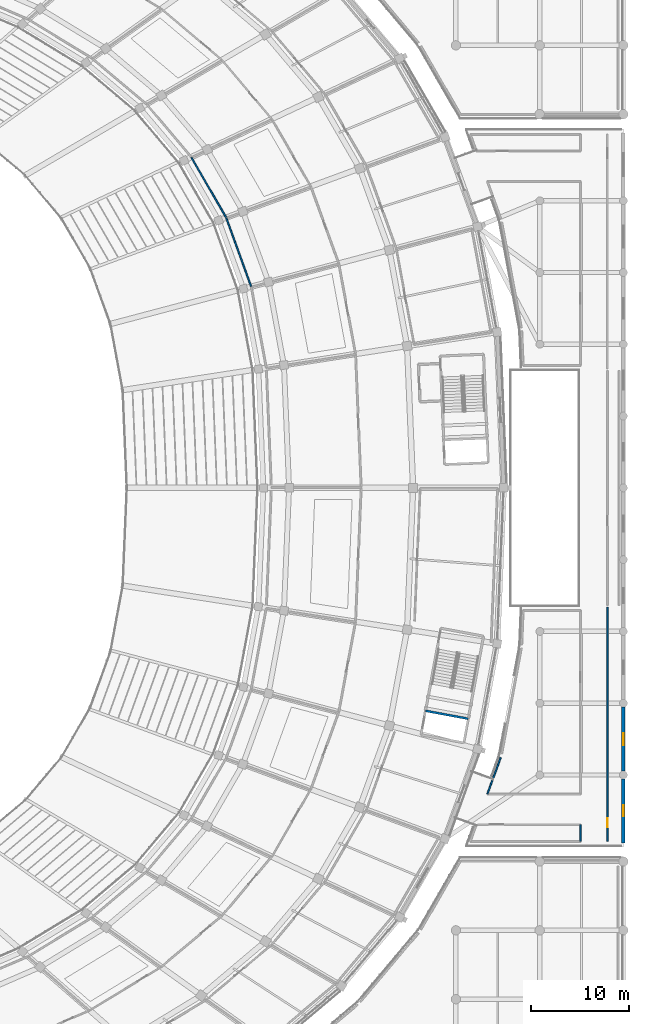
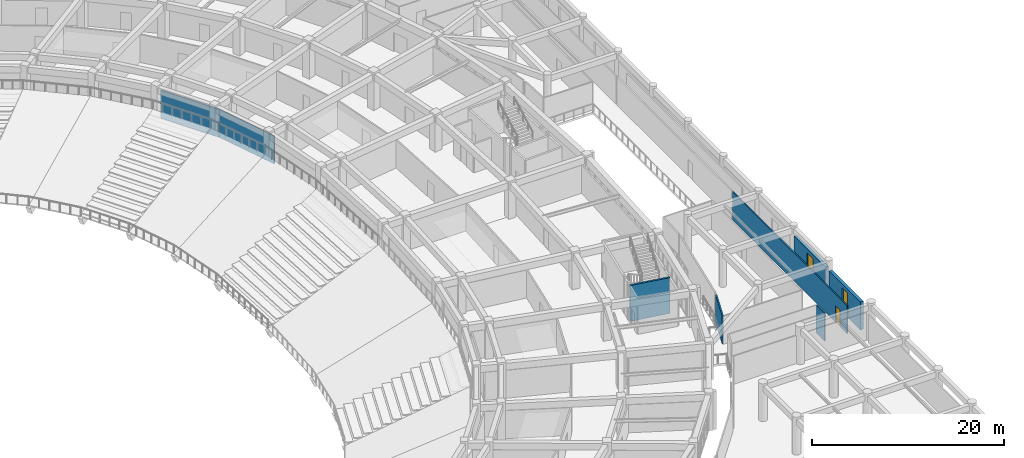
# One storey, part 105 of 152: 8 walls, 2 windows, 1 door, 3 openings.
"""IFC4 building model written with IfcOpenShell, lengths in metres."""

from ifc_helpers import new_model, si_unit, direction, frame, frame_2d, origin, place, context, subcontext, project, spatial, rectangle, extrude, material, layer, layer_set, type_object, element, fill, save


model = new_model("IFC4")

# Units and contexts
model_context = context("Model", 3, precision=1e-05, world=origin(), true_north=direction((0.0, 1.0)))
body_context = subcontext(model_context, "Body", "Model", "MODEL_VIEW")
ifc_project = project(units=[si_unit("LENGTHUNIT", "METRE"), si_unit("AREAUNIT", "SQUARE_METRE"), si_unit("VOLUMEUNIT", "CUBIC_METRE"), si_unit("PLANEANGLEUNIT", "RADIAN"), si_unit("MASSUNIT", "GRAM", prefix="KILO")], contexts=[model_context])

# Site, building, storey
site_placement = place(None, origin())
site = spatial("IfcSite", under=ifc_project, at=site_placement, CompositionType="ELEMENT")
building_placement = place(site_placement, origin())
building = spatial("IfcBuilding", under=site, at=building_placement, Name="Mphavela Belvedere Stadium", CompositionType="ELEMENT")
storey_placement = place(building_placement, frame((0.0, 0.0, 5.39990234375)))
storey = spatial("IfcBuildingStorey", under=building, at=storey_placement, Name="L01", CompositionType="ELEMENT", Elevation=5.39990234375)

# Wall
ifc_material_1 = material(Name="Concrete C40/50", Category="concrete")
ifc_layer_1 = layer(ifc_material_1, 0.219970703125)
ifc_layer_set_1 = layer_set([ifc_layer_1], Name="Concrete C40/50")
wall_type_1 = type_object("IfcWallType", Name="WAL-CORE-SHEAR-220", PredefinedType="SHEAR", material=ifc_layer_set_1)
wall_1_placement = place(storey_placement, frame((209.876708984375, 64.323486328125, 0.0), z_axis=(0.0, 0.0, 1.0), x_axis=(0.983201511677, -0.182523388739, 0.0)))
element("IfcWall", 1, at=wall_1_placement, inside=storey, type_object=wall_type_1, Name="Core C12 shear wall L01 div", PredefinedType="SHEAR", context=body_context, shape_type="SweptSolid", body=[
    extrude(rectangle(XDim=4.409912109375, YDim=0.219970703125, at=frame_2d((2.205078125, 0.0))), origin(), (0.0, 0.0, 1.0), 4.550048828125),
])

# Wall, opening, window
ifc_material_2 = material(Name="Honed ashlar limestone masonry", Category="masonry")
ifc_layer_2 = layer(ifc_material_2, 0.35009765625)
ifc_layer_set_2 = layer_set([ifc_layer_2], Name="Honed ashlar limestone masonry")
wall_type_2 = type_object("IfcWallType", Name="WAL-EXT-ASHLAR-350", PredefinedType="STANDARD", material=ifc_layer_set_2)
wall_2_placement = place(storey_placement, frame((230.0, 57.402099609375, 0.0), z_axis=(0.0, 0.0, 1.0), x_axis=(0.0, -1.0, 0.0)))
wall_2 = element("IfcWall", 2, at=wall_2_placement, inside=storey, type_object=wall_type_2, Name="East Planted Eaves Peristyle Colonnade outer facade bay L01-01", PredefinedType="STANDARD", context=body_context, shape_type="SweptSolid", body=[
    extrude(rectangle(XDim=6.504150390625, YDim=0.35009765625, at=frame_2d((3.251953125, 0.0))), origin(), (0.0, 0.0, 1.0), 3.56005859375),
])
opening_1_placement = place(wall_2_placement, frame((2.701904296875, 0.0, 0.89990234375)))
opening_1 = element("IfcOpeningElement", 3, at=opening_1_placement, cuts=wall_2, Name="Opening W-298", PredefinedType="OPENING", context=body_context, shape_type="SweptSolid", body=[
    extrude(rectangle(XDim=1.10009765625, YDim=2.14990234375, at=frame_2d((0.550048828125, 1.074951171875))), frame((0.0, 0.18505859375, 0.0), z_axis=(0.0, -1.0, 0.0), x_axis=(1.0, 0.0, 0.0)), (0.0, 0.0, 1.0), 0.3701171875),
])
ifc_material_3 = material(Name="Bronze-anodised thermally broken aluminium window", Category="aluminium")
window_type_1 = type_object("IfcWindowType", Name="WIN-EXT-34", PartitioningType="SINGLE_PANEL", PredefinedType="WINDOW", material=ifc_material_3)
window_1_placement = place(opening_1_placement, origin())
window_1 = element("IfcWindow", 4, at=window_1_placement, inside=storey, type_object=window_type_1, Name="East Planted Eaves Peristyle Colonnade classical window W-298", OverallHeight=2.14990234375, OverallWidth=1.10009765625, PartitioningType="SINGLE_PANEL", PredefinedType="WINDOW", context=body_context, shape_type="SweptSolid", body=[
    extrude(rectangle(XDim=1.10009765625, YDim=2.14990234375, at=frame_2d((0.550048828125, 1.074951171875))), frame((0.0, 0.030029296875, 0.0), z_axis=(0.0, -1.0, 0.0), x_axis=(1.0, 0.0, 0.0)), (0.0, 0.0, 1.0), 0.06005859375),
])
fill(opening_1, window_1)

wall_3_placement = place(storey_placement, frame((230.0, 64.701904296875, 0.0), z_axis=(0.0, 0.0, 1.0), x_axis=(0.0, -1.0, 0.0)))
wall_3 = element("IfcWall", 5, at=wall_3_placement, inside=storey, type_object=wall_type_2, Name="East Planted Eaves Peristyle Colonnade outer facade bay L01-02", PredefinedType="STANDARD", context=body_context, shape_type="SweptSolid", body=[
    extrude(rectangle(XDim=6.50390625, YDim=0.35009765625, at=frame_2d((3.251953125, 0.0))), origin(), (0.0, 0.0, 1.0), 3.56005859375),
])
opening_2_placement = place(wall_3_placement, frame((2.632080078125, 0.0, 0.89990234375)))
opening_2 = element("IfcOpeningElement", 6, at=opening_2_placement, cuts=wall_3, Name="Opening W-299", PredefinedType="OPENING", context=body_context, shape_type="SweptSolid", body=[
    extrude(rectangle(XDim=1.239990234375, YDim=2.14990234375, at=frame_2d((0.6201171875, 1.074951171875))), frame((0.0, 0.18505859375, 0.0), z_axis=(0.0, -1.0, 0.0), x_axis=(1.0, 0.0, 0.0)), (0.0, 0.0, 1.0), 0.3701171875),
])
ifc_material_4 = material(Name="Bronze-anodised thermally broken aluminium window", Category="aluminium")
window_type_2 = type_object("IfcWindowType", Name="WIN-EXT-35", PartitioningType="SINGLE_PANEL", PredefinedType="WINDOW", material=ifc_material_4)
window_2_placement = place(opening_2_placement, origin())
window_2 = element("IfcWindow", 7, at=window_2_placement, inside=storey, type_object=window_type_2, Name="East Planted Eaves Peristyle Colonnade classical window W-299", OverallHeight=2.14990234375, OverallWidth=1.239990234375, PartitioningType="SINGLE_PANEL", PredefinedType="WINDOW", context=body_context, shape_type="SweptSolid", body=[
    extrude(rectangle(XDim=1.239990234375, YDim=2.14990234375, at=frame_2d((0.6201171875, 1.074951171875))), frame((0.0, 0.030029296875, 0.0), z_axis=(0.0, -1.0, 0.0), x_axis=(1.0, 0.0, 0.0)), (0.0, 0.0, 1.0), 0.06005859375),
])
fill(opening_2, window_2)

# Wall, opening, door
ifc_material_5 = material(Name="Acoustic gypsum stud partition assembly")
ifc_layer_3 = layer(ifc_material_5, 0.14990234375)
ifc_layer_set_3 = layer_set([ifc_layer_3], Name="Acoustic gypsum stud partition assembly")
wall_type_3 = type_object("IfcWallType", Name="WAL-PART-150", PredefinedType="PARTITIONING", material=ifc_layer_set_3)
wall_4_placement = place(storey_placement, frame((228.360107421875, 51.050048828125, 0.0), z_axis=(0.0, 0.0, 1.0), x_axis=(0.0, 1.0, 0.0)))
wall_4 = element("IfcWall", 8, at=wall_4_placement, inside=storey, type_object=wall_type_3, Name="Room L01-199 corridor partition", PredefinedType="PARTITIONING", context=body_context, shape_type="SweptSolid", body=[
    extrude(rectangle(XDim=23.833251953125, YDim=0.14990234375, at=frame_2d((11.91650390625, 0.0))), origin(), (0.0, 0.0, 1.0), 3.550048828125),
])
opening_3_placement = place(wall_4_placement, frame((1.434814453125, 0.0, 0.0)))
opening_3 = element("IfcOpeningElement", 9, at=opening_3_placement, cuts=wall_4, Name="Opening ID-541", PredefinedType="OPENING", context=body_context, shape_type="SweptSolid", body=[
    extrude(rectangle(XDim=0.89990234375, YDim=2.10009765625, at=frame_2d((0.449951171875, 1.050048828125))), frame((0.0, 0.0849609375, 0.0), z_axis=(0.0, -1.0, 0.0), x_axis=(1.0, 0.0, 0.0)), (0.0, 0.0, 1.0), 0.169921875),
])
ifc_material_6 = material(Name="Hardwood acoustic timber doorset", Category="wood")
door_type = type_object("IfcDoorType", Name="DR-INT-01", OperationType="NOTDEFINED", PredefinedType="DOOR", material=ifc_material_6)
door_placement = place(opening_3_placement, origin())
door = element("IfcDoor", 10, at=door_placement, inside=storey, type_object=door_type, Name="Room L01-199 entrance door ID-541", OperationType="SINGLE_SWING_LEFT", OverallHeight=2.10009765625, OverallWidth=0.89990234375, PredefinedType="DOOR", context=body_context, shape_type="SweptSolid", body=[
    extrude(rectangle(XDim=0.89990234375, YDim=2.10009765625, at=frame_2d((0.449951171875, 1.050048828125))), frame((0.0, 0.02490234375, 0.0), z_axis=(0.0, -1.0, 0.0), x_axis=(1.0, 0.0, 0.0)), (0.0, 0.0, 1.0), 0.050048828125),
])
fill(opening_3, door)

# Walls
wall_5_placement = place(storey_placement, frame((192.133056640625, 107.49609375, 0.0), z_axis=(0.0, 0.0, 1.0), x_axis=(-0.34104817416, 0.940045819576, 0.0)))
element("IfcWall", 11, at=wall_5_placement, inside=storey, type_object=wall_type_3, Name="Room divider partition L01-0146", PredefinedType="PARTITIONING", context=body_context, shape_type="SweptSolid", body=[
    extrude(rectangle(XDim=7.391845703125, YDim=0.14990234375, at=frame_2d((3.69580078125, 0.0))), origin(), (0.0, 0.0, 1.0), 3.550048828125),
])
wall_6_placement = place(storey_placement, frame((189.57861328125, 114.517822265625, 0.0), z_axis=(0.0, 0.0, 1.0), x_axis=(-0.500549390525, 0.865707980583, 0.0)))
element("IfcWall", 12, at=wall_6_placement, inside=storey, type_object=wall_type_3, Name="Room divider partition L01-0149", PredefinedType="PARTITIONING", context=body_context, shape_type="SweptSolid", body=[
    extrude(rectangle(XDim=7.01806640625, YDim=0.14990234375, at=frame_2d((3.509033203125, 0.0))), origin(), (0.0, 0.0, 1.0), 3.550048828125),
])
wall_7_placement = place(storey_placement, frame((225.639892578125, 52.739990234375, 0.0), z_axis=(0.0, 0.0, 1.0), x_axis=(0.0, -1.0, 0.0)))
element("IfcWall", 13, at=wall_7_placement, inside=storey, type_object=wall_type_3, Name="Room divider partition L01-1234", PredefinedType="PARTITIONING", context=body_context, shape_type="SweptSolid", body=[
    extrude(rectangle(XDim=1.68994140625, YDim=0.14990234375, at=frame_2d((0.844970703125, 0.0))), origin(), (0.0, 0.0, 1.0), 3.550048828125),
])
wall_8_placement = place(storey_placement, frame((216.163330078125, 55.860107421875, 0.0), z_axis=(0.0, 0.0, 1.0), x_axis=(0.341035525383, 0.94005040845, 0.0)))
element("IfcWall", 14, at=wall_8_placement, inside=storey, type_object=wall_type_3, Name="Room divider partition L01-1242", PredefinedType="PARTITIONING", context=body_context, shape_type="SweptSolid", body=[
    extrude(rectangle(XDim=3.96240234375, YDim=0.14990234375, at=frame_2d((1.981201171875, 0.0))), origin(), (0.0, 0.0, 1.0), 3.550048828125),
])

save(model, "model.ifc")
